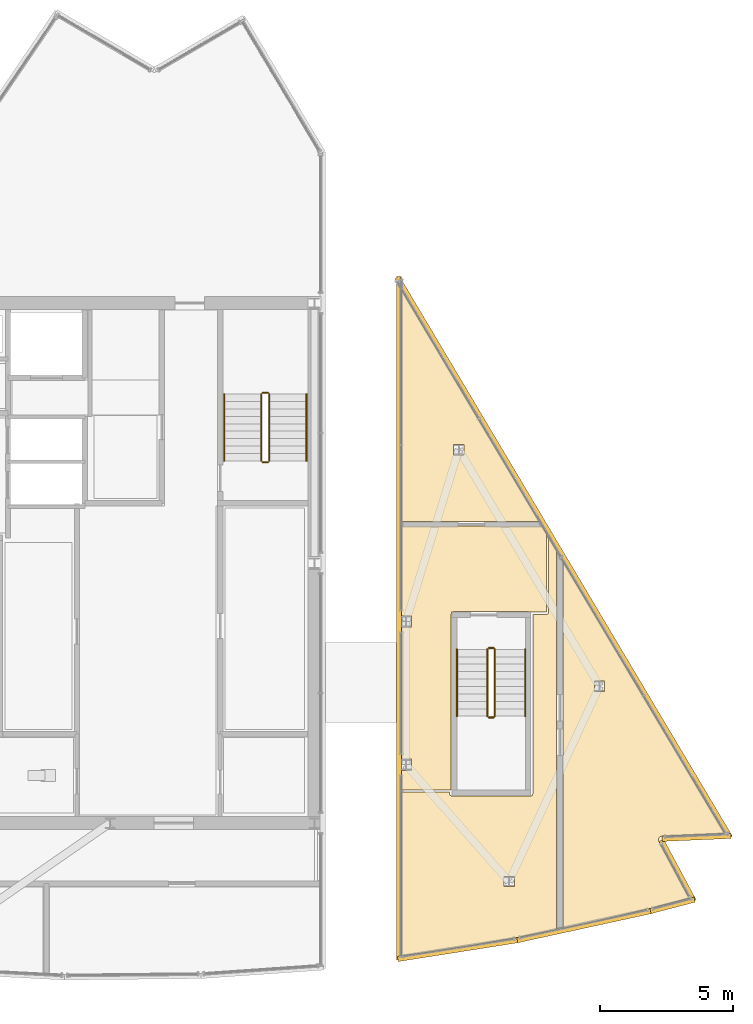
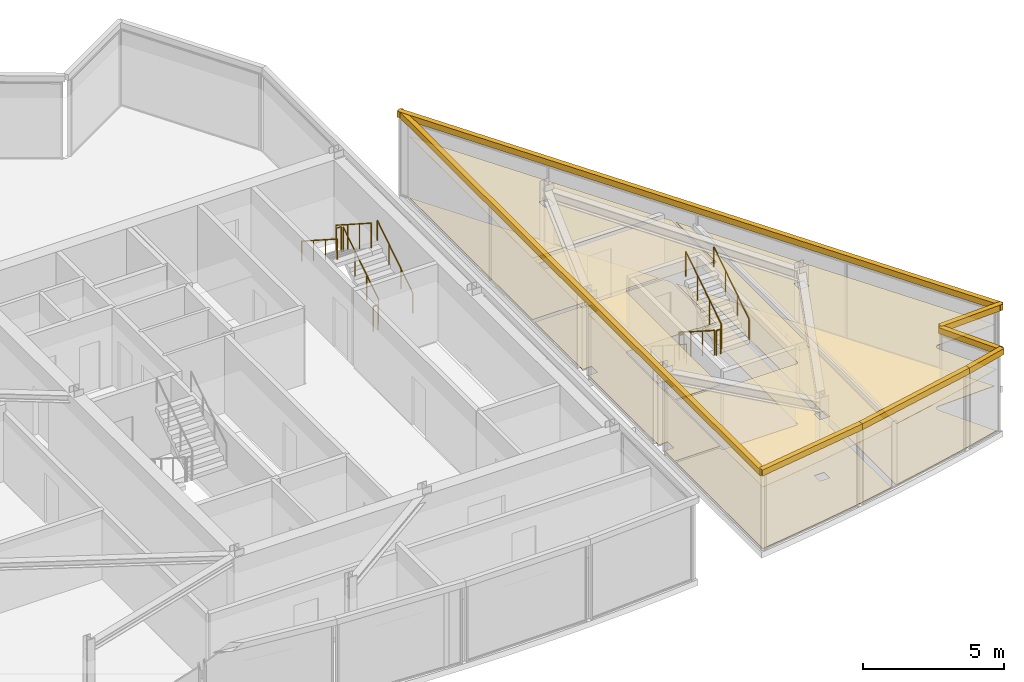
# One storey, part 13 of 15: 15 coverings, 12 railings.
"""IFC4 building model written with IfcOpenShell, lengths in metres."""

from ifc_helpers import new_model, si_unit, direction, frame, origin, origin_2d, place, context, subcontext, project, spatial, polyline, circle, outline, extrude, material, layer, layer_set, type_object, element, save


model = new_model("IFC4")

# Units and contexts
model_context = context("Model", 3, precision=1e-05, world=origin(), true_north=direction((0.0, 1.0)))
body_context = subcontext(model_context, "Body", "Model", "MODEL_VIEW")
ifc_project = project(units=[si_unit("LENGTHUNIT", "METRE"), si_unit("AREAUNIT", "SQUARE_METRE"), si_unit("VOLUMEUNIT", "CUBIC_METRE"), si_unit("PLANEANGLEUNIT", "RADIAN"), si_unit("MASSUNIT", "GRAM", prefix="KILO")], contexts=[model_context])

# Site, building, storey
site_placement = place(None, origin())
site = spatial("IfcSite", under=ifc_project, at=site_placement, CompositionType="ELEMENT")
building_placement = place(site_placement, origin())
building = spatial("IfcBuilding", under=site, at=building_placement, Name="Savorim Split Tower", CompositionType="ELEMENT")
storey_placement = place(building_placement, frame((0.0, 0.0, 301.199951171875)))
storey = spatial("IfcBuildingStorey", under=building, at=storey_placement, Name="Crown L80 Plant", CompositionType="ELEMENT", Elevation=301.199951171875)

# Coverings
ifc_material_1 = material(Name="Mineral Fibre Acoustic Ceiling")
ifc_layer_1 = layer(ifc_material_1, 0.02490234375)
ifc_layer_set_1 = layer_set([ifc_layer_1], Name="COV-CEIL-25")
covering_type_1 = type_object("IfcCoveringType", Name="COV-CEIL-25", PredefinedType="CEILING", material=ifc_layer_set_1)
covering_1_placement = place(storey_placement, frame((0.0, 0.0, 2.66015625)))
element("IfcCovering", 1, at=covering_1_placement, inside=storey, type_object=covering_type_1, Name="Crown L80 Plant East Crown Plant Corridor Acoustic Ceiling", PredefinedType="CEILING", context=body_context, shape_type="SweptSolid", body=[
    extrude(outline(polyline([(16.272216796875, 1.800048828125), (12.860107421875, 1.800048828125), (10.989990234375, 1.800048828125), (10.989990234375, -1.590087890625), (11.360107421875, -1.590087890625), (11.360107421875, -2.010009765625), (10.989990234375, -2.010009765625), (10.989990234375, -6.989990234375), (11.360107421875, -6.989990234375), (11.360107421875, -7.409912109375), (10.989990234375, -7.409912109375), (10.989990234375, -8.14990234375), (12.840087890625, -8.14990234375), (12.840087890625, -1.60009765625), (12.8408203125, -1.58251953125), (12.843505859375, -1.56494140625), (12.847900390625, -1.547607421875), (12.853759765625, -1.531005859375), (12.860107421875, -1.517822265625), (12.860107421875, -1.449951171875), (12.920654296875, -1.449951171875), (12.93505859375, -1.44140625), (12.951171875, -1.43359375), (12.9677734375, -1.427734375), (12.98486328125, -1.423583984375), (13.00244140625, -1.4208984375), (13.02001953125, -1.419921875), (15.699951171875, -1.419921875), (15.717529296875, -1.4208984375), (15.735107421875, -1.423583984375), (15.752197265625, -1.427734375), (15.768798828125, -1.43359375), (15.784912109375, -1.44140625), (15.79931640625, -1.449951171875), (16.449951171875, -1.449951171875), (16.449951171875, 1.500732421875), (16.272216796875, 1.800048828125)])), origin(), (0.0, 0.0, 1.0), 0.02490234375),
])
covering_2_placement = place(storey_placement, frame((0.0, 0.0, 2.66015625)))
element("IfcCovering", 2, at=covering_2_placement, inside=storey, type_object=covering_type_1, Name="Crown L80 Plant East Cooling Plant Room Acoustic Ceiling", PredefinedType="CEILING", context=body_context, shape_type="SweptSolid", body=[
    extrude(outline(polyline([(11.947021484375, -14.273193359375), (13.639404296875, -14.011474609375), (15.326171875, -13.715087890625), (16.830078125, -13.4189453125), (16.830078125, 0.71875), (16.830078125, 0.838623046875), (16.84375, 0.838623046875), (16.530029296875, 1.3662109375), (16.530029296875, -1.449951171875), (16.529541015625, -1.457763671875), (16.528564453125, -1.465576171875), (16.526611328125, -1.47314453125), (16.52392578125, -1.480712890625), (16.5205078125, -1.48779296875), (16.5166015625, -1.494384765625), (16.51171875, -1.500732421875), (16.506591796875, -1.506591796875), (16.500732421875, -1.51171875), (16.494384765625, -1.5166015625), (16.48779296875, -1.5205078125), (16.480712890625, -1.52392578125), (16.47314453125, -1.526611328125), (16.465576171875, -1.528564453125), (16.457763671875, -1.529541015625), (16.449951171875, -1.530029296875), (15.929931640625, -1.530029296875), (15.929931640625, -8.300048828125), (15.9296875, -8.307861328125), (15.928466796875, -8.315673828125), (15.926513671875, -8.3232421875), (15.923828125, -8.33056640625), (15.920654296875, -8.337646484375), (15.91650390625, -8.344482421875), (15.911865234375, -8.350830078125), (15.906494140625, -8.356689453125), (15.90087890625, -8.36181640625), (15.894287109375, -8.366455078125), (15.8876953125, -8.37060546875), (15.880615234375, -8.373779296875), (15.873291015625, -8.376708984375), (15.865478515625, -8.37841796875), (15.85791015625, -8.379638671875), (15.85009765625, -8.3798828125), (12.8798828125, -8.3798828125), (12.872314453125, -8.379638671875), (12.864501953125, -8.37841796875), (12.856689453125, -8.376708984375), (12.849365234375, -8.373779296875), (12.84228515625, -8.37060546875), (12.835693359375, -8.366455078125), (12.8291015625, -8.36181640625), (12.823486328125, -8.356689453125), (12.818115234375, -8.350830078125), (12.8134765625, -8.344482421875), (12.809326171875, -8.337646484375), (12.80615234375, -8.33056640625), (12.803466796875, -8.3232421875), (12.801513671875, -8.315673828125), (12.80029296875, -8.307861328125), (12.800048828125, -8.300048828125), (12.800048828125, -8.22998046875), (10.989990234375, -8.22998046875), (10.989990234375, -14.401123046875), (11.947021484375, -14.273193359375)]), holes=[polyline([(14.84228515625, -11.406494140625), (14.84228515625, -11.79638671875), (15.232177734375, -11.79638671875), (15.232177734375, -11.406494140625), (14.84228515625, -11.406494140625)])]), origin(), (0.0, 0.0, 1.0), 0.02490234375),
])
covering_3_placement = place(storey_placement, frame((0.0, 0.0, 2.66015625)))
element("IfcCovering", 3, at=covering_3_placement, inside=storey, type_object=covering_type_1, Name="Crown L80 Plant East Heat Recovery AHU Plant Room Acoustic Ceiling", PredefinedType="CEILING", context=body_context, shape_type="SweptSolid", body=[
    extrude(outline(polyline([(20.763671875, -9.8984375), (20.776611328125, -9.89453125), (20.789794921875, -9.89208984375), (20.80322265625, -9.890869140625), (23.1640625, -9.79052734375), (17.070068359375, 0.458251953125), (17.070068359375, -13.370361328125), (18.679443359375, -13.01904296875), (20.3447265625, -12.619873046875), (21.8310546875, -12.231201171875), (20.685791015625, -10.096923828125), (20.679931640625, -10.084716796875), (20.675537109375, -10.072265625), (20.672119140625, -10.05908203125), (20.669921875, -10.0458984375), (20.669189453125, -10.032470703125), (20.669677734375, -10.018798828125), (20.67138671875, -10.005615234375), (20.674560546875, -9.992431640625), (20.678955078125, -9.979736328125), (20.684326171875, -9.96728515625), (20.69091796875, -9.955810546875), (20.69873046875, -9.944580078125), (20.70751953125, -9.9345703125), (20.71728515625, -9.92529296875), (20.727783203125, -9.916748046875), (20.7392578125, -9.90966796875), (20.751220703125, -9.9033203125), (20.763671875, -9.8984375)]), holes=[polyline([(18.250732421875, -4.044921875), (18.250732421875, -4.434814453125), (18.640625, -4.434814453125), (18.640625, -4.044921875), (18.250732421875, -4.044921875)])]), origin(), (0.0, 0.0, 1.0), 0.02490234375),
])
covering_4_placement = place(storey_placement, frame((0.0, 0.0, 2.66015625)))
element("IfcCovering", 4, at=covering_4_placement, inside=storey, type_object=covering_type_1, Name="Crown L80 Plant East Cooling Plant Room Acoustic Ceiling", PredefinedType="CEILING", context=body_context, shape_type="SweptSolid", body=[
    extrude(outline(polyline([(10.989990234375, 10.68310546875), (10.989990234375, 1.969970703125), (16.1708984375, 1.969970703125), (10.989990234375, 10.68310546875)]), holes=[polyline([(12.94921875, 4.87060546875), (12.94921875, 4.480712890625), (13.33935546875, 4.480712890625), (13.33935546875, 4.87060546875), (12.94921875, 4.87060546875)])]), origin(), (0.0, 0.0, 1.0), 0.02490234375),
])
ifc_material_2 = material(Name="Terracotta Ceramic-Coated Aluminium Fin", Category="masonry")
ifc_layer_2 = layer(ifc_material_2, 0.050048828125)
ifc_layer_set_2 = layer_set([ifc_layer_2], Name="COV-CLAD-TERRA")
covering_type_2 = type_object("IfcCoveringType", Name="COV-CLAD-TERRA", PredefinedType="CLADDING", material=ifc_layer_set_2)
covering_5_placement = place(storey_placement, frame((0.0, 0.0, 3.340087890625)))
element("IfcCovering", 5, at=covering_5_placement, inside=storey, type_object=covering_type_2, Name="Crown L80 Plant Sloped Crest Eave Spandrel E1", PredefinedType="CLADDING", context=body_context, shape_type="SweptSolid", body=[
    extrude(outline(polyline([(10.7900390625, 11.1923828125), (10.7900390625, -14.561279296875), (10.989990234375, -14.561279296875), (10.989990234375, 11.1923828125), (10.7900390625, 11.1923828125)])), origin(), (0.0, 0.0, 1.0), 0.260009765625),
])
covering_6_placement = place(storey_placement, frame((0.0, 0.0, 3.340087890625)))
element("IfcCovering", 6, at=covering_6_placement, inside=storey, type_object=covering_type_2, Name="Crown L80 Plant Sloped Crest Eave Spandrel E2", PredefinedType="CLADDING", context=body_context, shape_type="SweptSolid", body=[
    extrude(outline(polyline([(10.859375, -14.62060546875), (15.361083984375, -13.912109375), (15.329833984375, -13.71435546875), (10.828125, -14.4228515625), (10.859375, -14.62060546875)])), origin(), (0.0, 0.0, 1.0), 0.260009765625),
])
covering_7_placement = place(storey_placement, frame((0.0, 0.0, 3.340087890625)))
element("IfcCovering", 7, at=covering_7_placement, inside=storey, type_object=covering_type_2, Name="Crown L80 Plant Sloped Crest Eave Spandrel E3", PredefinedType="CLADDING", context=body_context, shape_type="SweptSolid", body=[
    extrude(outline(polyline([(15.364501953125, -13.911376953125), (20.3916015625, -12.814208984375), (20.348876953125, -12.618896484375), (15.32177734375, -13.7158203125), (15.364501953125, -13.911376953125)])), origin(), (0.0, 0.0, 1.0), 0.260009765625),
])
covering_8_placement = place(storey_placement, frame((0.0, 0.0, 3.340087890625)))
element("IfcCovering", 8, at=covering_8_placement, inside=storey, type_object=covering_type_2, Name="Crown L80 Plant Sloped Crest Eave Spandrel E4", PredefinedType="CLADDING", context=body_context, shape_type="SweptSolid", body=[
    extrude(outline(polyline([(20.39404296875, -12.813720703125), (22.0537109375, -12.379638671875), (22.0029296875, -12.186279296875), (20.343505859375, -12.6201171875), (20.39404296875, -12.813720703125)])), origin(), (0.0, 0.0, 1.0), 0.260009765625),
])
covering_9_placement = place(storey_placement, frame((0.0, 0.0, 3.340087890625)))
element("IfcCovering", 9, at=covering_9_placement, inside=storey, type_object=covering_type_2, Name="Crown L80 Plant Sloped Crest Eave Spandrel E5", PredefinedType="CLADDING", context=body_context, shape_type="SweptSolid", body=[
    extrude(outline(polyline([(22.09130859375, -12.293212890625), (20.862060546875, -10.00244140625), (20.685791015625, -10.096923828125), (21.9150390625, -12.3876953125), (22.09130859375, -12.293212890625)])), origin(), (0.0, 0.0, 1.0), 0.260009765625),
])
covering_10_placement = place(storey_placement, frame((0.0, 0.0, 3.340087890625)))
element("IfcCovering", 10, at=covering_10_placement, inside=storey, type_object=covering_type_2, Name="Crown L80 Plant Sloped Crest Eave Spandrel E6", PredefinedType="CLADDING", context=body_context, shape_type="SweptSolid", body=[
    extrude(outline(polyline([(20.811767578125, -10.0908203125), (23.40673828125, -9.980224609375), (23.398193359375, -9.780517578125), (20.80322265625, -9.890869140625), (20.811767578125, -10.0908203125)])), origin(), (0.0, 0.0, 1.0), 0.260009765625),
])
covering_11_placement = place(storey_placement, frame((0.0, 0.0, 3.340087890625)))
element("IfcCovering", 11, at=covering_11_placement, inside=storey, type_object=covering_type_2, Name="Crown L80 Plant Sloped Crest Eave Spandrel E7", PredefinedType="CLADDING", context=body_context, shape_type="SweptSolid", body=[
    extrude(outline(polyline([(23.455810546875, -9.8896484375), (10.901611328125, 11.22314453125), (10.729736328125, 11.120849609375), (23.283935546875, -9.991943359375), (23.455810546875, -9.8896484375)])), origin(), (0.0, 0.0, 1.0), 0.260009765625),
])
ifc_material_3 = material(Name="Porcelain Stoneware Flooring", Category="masonry")
ifc_layer_3 = layer(ifc_material_3, 0.02001953125)
ifc_layer_set_3 = layer_set([ifc_layer_3], Name="COV-FLOR-20")
covering_type_3 = type_object("IfcCoveringType", Name="COV-FLOR-20", PredefinedType="FLOORING", material=ifc_layer_set_3)
covering_12_placement = place(storey_placement, origin())
element("IfcCovering", 12, at=covering_12_placement, inside=storey, type_object=covering_type_3, Name="Crown L80 Plant East Crown Plant Corridor Porcelain Flooring", PredefinedType="FLOORING", context=body_context, shape_type="SweptSolid", body=[
    extrude(outline(polyline([(16.272216796875, 1.800048828125), (12.860107421875, 1.800048828125), (10.989990234375, 1.800048828125), (10.989990234375, -1.590087890625), (11.360107421875, -1.590087890625), (11.360107421875, -2.010009765625), (10.989990234375, -2.010009765625), (10.989990234375, -6.989990234375), (11.360107421875, -6.989990234375), (11.360107421875, -7.409912109375), (10.989990234375, -7.409912109375), (10.989990234375, -8.14990234375), (12.840087890625, -8.14990234375), (12.840087890625, -1.60009765625), (12.8408203125, -1.58251953125), (12.843505859375, -1.56494140625), (12.847900390625, -1.547607421875), (12.853759765625, -1.531005859375), (12.860107421875, -1.517822265625), (12.860107421875, -1.449951171875), (12.920654296875, -1.449951171875), (12.93505859375, -1.44140625), (12.951171875, -1.43359375), (12.9677734375, -1.427734375), (12.98486328125, -1.423583984375), (13.00244140625, -1.4208984375), (13.02001953125, -1.419921875), (15.699951171875, -1.419921875), (15.717529296875, -1.4208984375), (15.735107421875, -1.423583984375), (15.752197265625, -1.427734375), (15.768798828125, -1.43359375), (15.784912109375, -1.44140625), (15.79931640625, -1.449951171875), (16.449951171875, -1.449951171875), (16.449951171875, 1.500732421875), (16.272216796875, 1.800048828125)])), origin(), (0.0, 0.0, 1.0), 0.02001953125),
])
covering_13_placement = place(storey_placement, origin())
element("IfcCovering", 13, at=covering_13_placement, inside=storey, type_object=covering_type_3, Name="Crown L80 Plant East Cooling Plant Room Porcelain Flooring", PredefinedType="FLOORING", context=body_context, shape_type="SweptSolid", body=[
    extrude(outline(polyline([(11.947021484375, -14.273193359375), (13.639404296875, -14.011474609375), (15.326171875, -13.715087890625), (16.830078125, -13.4189453125), (16.830078125, 0.71875), (16.830078125, 0.838623046875), (16.84375, 0.838623046875), (16.530029296875, 1.3662109375), (16.530029296875, -1.449951171875), (16.529541015625, -1.457763671875), (16.528564453125, -1.465576171875), (16.526611328125, -1.47314453125), (16.52392578125, -1.480712890625), (16.5205078125, -1.48779296875), (16.5166015625, -1.494384765625), (16.51171875, -1.500732421875), (16.506591796875, -1.506591796875), (16.500732421875, -1.51171875), (16.494384765625, -1.5166015625), (16.48779296875, -1.5205078125), (16.480712890625, -1.52392578125), (16.47314453125, -1.526611328125), (16.465576171875, -1.528564453125), (16.457763671875, -1.529541015625), (16.449951171875, -1.530029296875), (15.929931640625, -1.530029296875), (15.929931640625, -8.300048828125), (15.9296875, -8.307861328125), (15.928466796875, -8.315673828125), (15.926513671875, -8.3232421875), (15.923828125, -8.33056640625), (15.920654296875, -8.337646484375), (15.91650390625, -8.344482421875), (15.911865234375, -8.350830078125), (15.906494140625, -8.356689453125), (15.90087890625, -8.36181640625), (15.894287109375, -8.366455078125), (15.8876953125, -8.37060546875), (15.880615234375, -8.373779296875), (15.873291015625, -8.376708984375), (15.865478515625, -8.37841796875), (15.85791015625, -8.379638671875), (15.85009765625, -8.3798828125), (12.8798828125, -8.3798828125), (12.872314453125, -8.379638671875), (12.864501953125, -8.37841796875), (12.856689453125, -8.376708984375), (12.849365234375, -8.373779296875), (12.84228515625, -8.37060546875), (12.835693359375, -8.366455078125), (12.8291015625, -8.36181640625), (12.823486328125, -8.356689453125), (12.818115234375, -8.350830078125), (12.8134765625, -8.344482421875), (12.809326171875, -8.337646484375), (12.80615234375, -8.33056640625), (12.803466796875, -8.3232421875), (12.801513671875, -8.315673828125), (12.80029296875, -8.307861328125), (12.800048828125, -8.300048828125), (12.800048828125, -8.22998046875), (10.989990234375, -8.22998046875), (10.989990234375, -14.401123046875), (11.947021484375, -14.273193359375)]), holes=[polyline([(14.84228515625, -11.406494140625), (14.84228515625, -11.79638671875), (15.232177734375, -11.79638671875), (15.232177734375, -11.406494140625), (14.84228515625, -11.406494140625)])]), origin(), (0.0, 0.0, 1.0), 0.02001953125),
])
covering_14_placement = place(storey_placement, origin())
element("IfcCovering", 14, at=covering_14_placement, inside=storey, type_object=covering_type_3, Name="Crown L80 Plant East Heat Recovery AHU Plant Room Porcelain Flooring", PredefinedType="FLOORING", context=body_context, shape_type="SweptSolid", body=[
    extrude(outline(polyline([(20.763671875, -9.8984375), (20.776611328125, -9.89453125), (20.789794921875, -9.89208984375), (20.80322265625, -9.890869140625), (23.1640625, -9.79052734375), (17.070068359375, 0.458251953125), (17.070068359375, -13.370361328125), (18.679443359375, -13.01904296875), (20.3447265625, -12.619873046875), (21.8310546875, -12.231201171875), (20.685791015625, -10.096923828125), (20.679931640625, -10.084716796875), (20.675537109375, -10.072265625), (20.672119140625, -10.05908203125), (20.669921875, -10.0458984375), (20.669189453125, -10.032470703125), (20.669677734375, -10.018798828125), (20.67138671875, -10.005615234375), (20.674560546875, -9.992431640625), (20.678955078125, -9.979736328125), (20.684326171875, -9.96728515625), (20.69091796875, -9.955810546875), (20.69873046875, -9.944580078125), (20.70751953125, -9.9345703125), (20.71728515625, -9.92529296875), (20.727783203125, -9.916748046875), (20.7392578125, -9.90966796875), (20.751220703125, -9.9033203125), (20.763671875, -9.8984375)]), holes=[polyline([(18.250732421875, -4.044921875), (18.250732421875, -4.434814453125), (18.640625, -4.434814453125), (18.640625, -4.044921875), (18.250732421875, -4.044921875)])]), origin(), (0.0, 0.0, 1.0), 0.02001953125),
])
covering_15_placement = place(storey_placement, origin())
element("IfcCovering", 15, at=covering_15_placement, inside=storey, type_object=covering_type_3, Name="Crown L80 Plant East Cooling Plant Room Porcelain Flooring", PredefinedType="FLOORING", context=body_context, shape_type="SweptSolid", body=[
    extrude(outline(polyline([(10.989990234375, 10.68310546875), (10.989990234375, 1.969970703125), (16.1708984375, 1.969970703125), (10.989990234375, 10.68310546875)]), holes=[polyline([(12.94921875, 4.87060546875), (12.94921875, 4.480712890625), (13.33935546875, 4.480712890625), (13.33935546875, 4.87060546875), (12.94921875, 4.87060546875)])]), origin(), (0.0, 0.0, 1.0), 0.02001953125),
])

# Railings
ifc_material_4 = material(Name="Galvanised Painted Steel Balustrade", Category="steel")
railing_type_1 = type_object("IfcRailingType", Name="RLG-HR-900", PredefinedType="HANDRAIL", material=ifc_material_4)
railing_1_placement = place(storey_placement, frame((7.39990234375, 4.25, 0.179931640625)))
element("IfcRailing", 16, at=railing_1_placement, inside=storey, type_object=railing_type_1, Name="Crown L80 Plant ST-2 stair handrail 1", PredefinedType="HANDRAIL", context=body_context, shape_type="SweptSolid", body=[
    extrude(circle(Radius=0.02392578125, at=origin_2d()), frame((0.0, 0.0, 0.8759765625), z_axis=(0.0, 0.841162588446, 0.540782303519), x_axis=(-1.0, 0.0, 0.0)), (0.0, 0.0, 1.0), 2.995849609375),
    extrude(circle(Radius=0.02099609375, at=origin_2d()), origin(), (0.0, 0.0, 1.0), 0.851806640625),
    extrude(circle(Radius=0.02099609375, at=origin_2d()), frame((0.0, 0.840087890625, 0.5400390625)), (0.0, 0.0, 1.0), 0.851806640625),
    extrude(circle(Radius=0.02099609375, at=origin_2d()), frame((0.0, 1.679931640625, 1.080078125)), (0.0, 0.0, 1.0), 0.851806640625),
    extrude(circle(Radius=0.02099609375, at=origin_2d()), frame((0.0, 2.52001953125, 1.6201171875)), (0.0, 0.0, 1.0), 0.851806640625),
])
for number, where, name in (
    (17, (4.300048828125, 6.77001953125, 1.97998046875), "Crown L80 Plant ST-2 stair handrail 2"),
    (18, (13.070068359375, -2.85009765625, 0.179931640625), "Crown L80 Plant ST-CRN-E stair handrail 1"),
):
    element("IfcRailing", number, at=place(storey_placement, frame(where)), inside=storey, type_object=railing_type_1, Name=name, PredefinedType="HANDRAIL", context=body_context, shape_type="SweptSolid", body=[
        extrude(circle(Radius=0.02392578125, at=origin_2d()), frame((0.0, 0.0, 0.8759765625), z_axis=(0.0, -0.841162588446, 0.540782303519), x_axis=(1.0, 0.0, 0.0)), (0.0, 0.0, 1.0), 2.995849609375),
        extrude(circle(Radius=0.02099609375, at=origin_2d()), origin(), (0.0, 0.0, 1.0), 0.851806640625),
        extrude(circle(Radius=0.02099609375, at=origin_2d()), frame((0.0, -0.840087890625, 0.5400390625)), (0.0, 0.0, 1.0), 0.851806640625),
        extrude(circle(Radius=0.02099609375, at=origin_2d()), frame((0.0, -1.679931640625, 1.080078125)), (0.0, 0.0, 1.0), 0.851806640625),
        extrude(circle(Radius=0.02099609375, at=origin_2d()), frame((0.0, -2.52001953125, 1.6201171875)), (0.0, 0.0, 1.0), 0.851806640625),
    ])
railing_2_placement = place(storey_placement, frame((15.64990234375, -5.3701171875, 1.97998046875)))
element("IfcRailing", 19, at=railing_2_placement, inside=storey, type_object=railing_type_1, Name="Crown L80 Plant ST-CRN-E stair handrail 2", PredefinedType="HANDRAIL", context=body_context, shape_type="SweptSolid", body=[
    extrude(circle(Radius=0.02392578125, at=origin_2d()), frame((0.0, 0.0, 0.8759765625), z_axis=(0.0, 0.841162588446, 0.540782303519), x_axis=(-1.0, 0.0, 0.0)), (0.0, 0.0, 1.0), 2.995849609375),
    extrude(circle(Radius=0.02099609375, at=origin_2d()), origin(), (0.0, 0.0, 1.0), 0.851806640625),
    extrude(circle(Radius=0.02099609375, at=origin_2d()), frame((0.0, 0.840087890625, 0.5400390625)), (0.0, 0.0, 1.0), 0.851806640625),
    extrude(circle(Radius=0.02099609375, at=origin_2d()), frame((0.0, 1.679931640625, 1.080078125)), (0.0, 0.0, 1.0), 0.851806640625),
    extrude(circle(Radius=0.02099609375, at=origin_2d()), frame((0.0, 2.52001953125, 1.6201171875)), (0.0, 0.0, 1.0), 0.851806640625),
])
railing_type_2 = type_object("IfcRailingType", Name="RLG-STG-1100", PredefinedType="BALUSTRADE", material=ifc_material_4)
railing_3_placement = place(storey_placement, frame((6.0, 4.25, 0.179931640625)))
element("IfcRailing", 20, at=railing_3_placement, inside=storey, type_object=railing_type_2, Name="Crown L80 Plant ST-2 stair guard 1", PredefinedType="BALUSTRADE", context=body_context, shape_type="SweptSolid", body=[
    extrude(circle(Radius=0.02392578125, at=origin_2d()), frame((0.0, 0.0, 1.076171875), z_axis=(0.0, 0.841162588446, 0.540782303519), x_axis=(-1.0, 0.0, 0.0)), (0.0, 0.0, 1.0), 2.995849609375),
    extrude(circle(Radius=0.02099609375, at=origin_2d()), origin(), (0.0, 0.0, 1.0), 1.052001953125),
    extrude(circle(Radius=0.02099609375, at=origin_2d()), frame((0.0, 0.840087890625, 0.5400390625)), (0.0, 0.0, 1.0), 1.052001953125),
    extrude(circle(Radius=0.02099609375, at=origin_2d()), frame((0.0, 1.679931640625, 1.080078125)), (0.0, 0.0, 1.0), 1.052001953125),
    extrude(circle(Radius=0.02099609375, at=origin_2d()), frame((0.0, 2.52001953125, 1.6201171875)), (0.0, 0.0, 1.0), 1.052001953125),
])
railing_4_placement = place(storey_placement, frame((5.949951171875, 6.820068359375, 1.800048828125)))
element("IfcRailing", 21, at=railing_4_placement, inside=storey, type_object=railing_type_2, Name="Crown L80 Plant ST-2 stair guard 2", PredefinedType="BALUSTRADE", context=body_context, shape_type="SweptSolid", body=[
    extrude(circle(Radius=0.02392578125, at=origin_2d()), frame((0.0, 0.0, 1.076171875), z_axis=(-1.0, 0.0, 0.0), x_axis=(0.0, -1.0, 0.0)), (0.0, 0.0, 1.0), 0.199951171875),
    extrude(circle(Radius=0.02099609375, at=origin_2d()), origin(), (0.0, 0.0, 1.0), 1.052001953125),
    extrude(circle(Radius=0.02099609375, at=origin_2d()), frame((-0.199951171875, 0.0, 0.0)), (0.0, 0.0, 1.0), 1.052001953125),
])
railing_5_placement = place(storey_placement, frame((5.699951171875, 6.77001953125, 1.97998046875)))
element("IfcRailing", 22, at=railing_5_placement, inside=storey, type_object=railing_type_2, Name="Crown L80 Plant ST-2 stair guard 3", PredefinedType="BALUSTRADE", context=body_context, shape_type="SweptSolid", body=[
    extrude(circle(Radius=0.02392578125, at=origin_2d()), frame((0.0, 0.0, 1.076171875), z_axis=(0.0, -0.841162588446, 0.540782303519), x_axis=(1.0, 0.0, 0.0)), (0.0, 0.0, 1.0), 2.995849609375),
    extrude(circle(Radius=0.02099609375, at=origin_2d()), origin(), (0.0, 0.0, 1.0), 1.052001953125),
    extrude(circle(Radius=0.02099609375, at=origin_2d()), frame((0.0, -0.840087890625, 0.5400390625)), (0.0, 0.0, 1.0), 1.052001953125),
    extrude(circle(Radius=0.02099609375, at=origin_2d()), frame((0.0, -1.679931640625, 1.080078125)), (0.0, 0.0, 1.0), 1.052001953125),
    extrude(circle(Radius=0.02099609375, at=origin_2d()), frame((0.0, -2.52001953125, 1.6201171875)), (0.0, 0.0, 1.0), 1.052001953125),
])
railing_6_placement = place(storey_placement, frame((5.949951171875, 4.199951171875, 0.0)))
element("IfcRailing", 23, at=railing_6_placement, inside=storey, type_object=railing_type_2, Name="Crown L80 Plant ST-2 stair guard 4", PredefinedType="BALUSTRADE", context=body_context, shape_type="SweptSolid", body=[
    extrude(circle(Radius=0.02392578125, at=origin_2d()), frame((0.0, 0.0, 1.076171875), z_axis=(-1.0, 0.0, 0.0), x_axis=(0.0, -1.0, 0.0)), (0.0, 0.0, 1.0), 0.199951171875),
    extrude(circle(Radius=0.02099609375, at=origin_2d()), origin(), (0.0, 0.0, 1.0), 1.052001953125),
    extrude(circle(Radius=0.02099609375, at=origin_2d()), frame((-0.199951171875, 0.0, 0.0)), (0.0, 0.0, 1.0), 1.052001953125),
])
railing_7_placement = place(storey_placement, frame((14.219970703125, -2.85009765625, 0.179931640625)))
element("IfcRailing", 24, at=railing_7_placement, inside=storey, type_object=railing_type_2, Name="Crown L80 Plant ST-CRN-E stair guard 1", PredefinedType="BALUSTRADE", context=body_context, shape_type="SweptSolid", body=[
    extrude(circle(Radius=0.02392578125, at=origin_2d()), frame((0.0, 0.0, 1.076171875), z_axis=(0.0, -0.841162588446, 0.540782303519), x_axis=(1.0, 0.0, 0.0)), (0.0, 0.0, 1.0), 2.995849609375),
    extrude(circle(Radius=0.02099609375, at=origin_2d()), origin(), (0.0, 0.0, 1.0), 1.052001953125),
    extrude(circle(Radius=0.02099609375, at=origin_2d()), frame((0.0, -0.840087890625, 0.5400390625)), (0.0, 0.0, 1.0), 1.052001953125),
    extrude(circle(Radius=0.02099609375, at=origin_2d()), frame((0.0, -1.679931640625, 1.080078125)), (0.0, 0.0, 1.0), 1.052001953125),
    extrude(circle(Radius=0.02099609375, at=origin_2d()), frame((0.0, -2.52001953125, 1.6201171875)), (0.0, 0.0, 1.0), 1.052001953125),
])
railing_8_placement = place(storey_placement, frame((14.27001953125, -5.419921875, 1.800048828125)))
element("IfcRailing", 25, at=railing_8_placement, inside=storey, type_object=railing_type_2, Name="Crown L80 Plant ST-CRN-E stair guard 2", PredefinedType="BALUSTRADE", context=body_context, shape_type="SweptSolid", body=[
    extrude(circle(Radius=0.02392578125, at=origin_2d()), frame((0.0, 0.0, 1.076171875), z_axis=(1.0, 0.0, 0.0), x_axis=(0.0, 1.0, 0.0)), (0.0, 0.0, 1.0), 0.179931640625),
    extrude(circle(Radius=0.02099609375, at=origin_2d()), origin(), (0.0, 0.0, 1.0), 1.052001953125),
    extrude(circle(Radius=0.02099609375, at=origin_2d()), frame((0.179931640625, 0.0, 0.0)), (0.0, 0.0, 1.0), 1.052001953125),
])
railing_9_placement = place(storey_placement, frame((14.5, -5.3701171875, 1.97998046875)))
element("IfcRailing", 26, at=railing_9_placement, inside=storey, type_object=railing_type_2, Name="Crown L80 Plant ST-CRN-E stair guard 3", PredefinedType="BALUSTRADE", context=body_context, shape_type="SweptSolid", body=[
    extrude(circle(Radius=0.02392578125, at=origin_2d()), frame((0.0, 0.0, 1.076171875), z_axis=(0.0, 0.841162588446, 0.540782303519), x_axis=(-1.0, 0.0, 0.0)), (0.0, 0.0, 1.0), 2.995849609375),
    extrude(circle(Radius=0.02099609375, at=origin_2d()), origin(), (0.0, 0.0, 1.0), 1.052001953125),
    extrude(circle(Radius=0.02099609375, at=origin_2d()), frame((0.0, 0.840087890625, 0.5400390625)), (0.0, 0.0, 1.0), 1.052001953125),
    extrude(circle(Radius=0.02099609375, at=origin_2d()), frame((0.0, 1.679931640625, 1.080078125)), (0.0, 0.0, 1.0), 1.052001953125),
    extrude(circle(Radius=0.02099609375, at=origin_2d()), frame((0.0, 2.52001953125, 1.6201171875)), (0.0, 0.0, 1.0), 1.052001953125),
])
railing_10_placement = place(storey_placement, frame((14.27001953125, -2.800048828125, 0.0)))
element("IfcRailing", 27, at=railing_10_placement, inside=storey, type_object=railing_type_2, Name="Crown L80 Plant ST-CRN-E stair guard 4", PredefinedType="BALUSTRADE", context=body_context, shape_type="SweptSolid", body=[
    extrude(circle(Radius=0.02392578125, at=origin_2d()), frame((0.0, 0.0, 1.076171875), z_axis=(1.0, 0.0, 0.0), x_axis=(0.0, 1.0, 0.0)), (0.0, 0.0, 1.0), 0.179931640625),
    extrude(circle(Radius=0.02099609375, at=origin_2d()), origin(), (0.0, 0.0, 1.0), 1.052001953125),
    extrude(circle(Radius=0.02099609375, at=origin_2d()), frame((0.179931640625, 0.0, 0.0)), (0.0, 0.0, 1.0), 1.052001953125),
])

save(model, "model.ifc")
